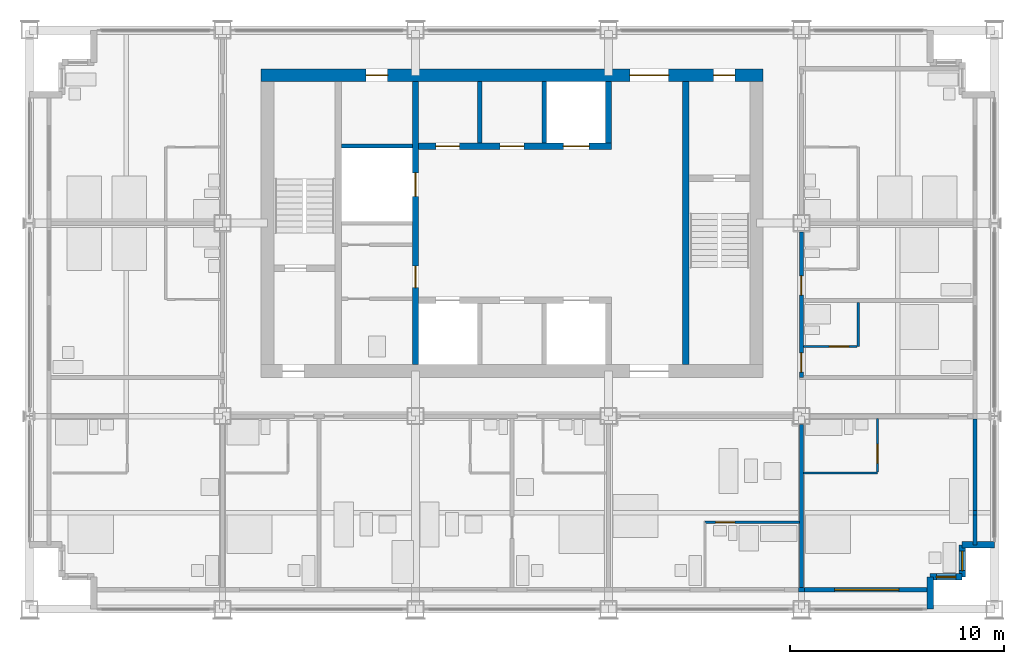
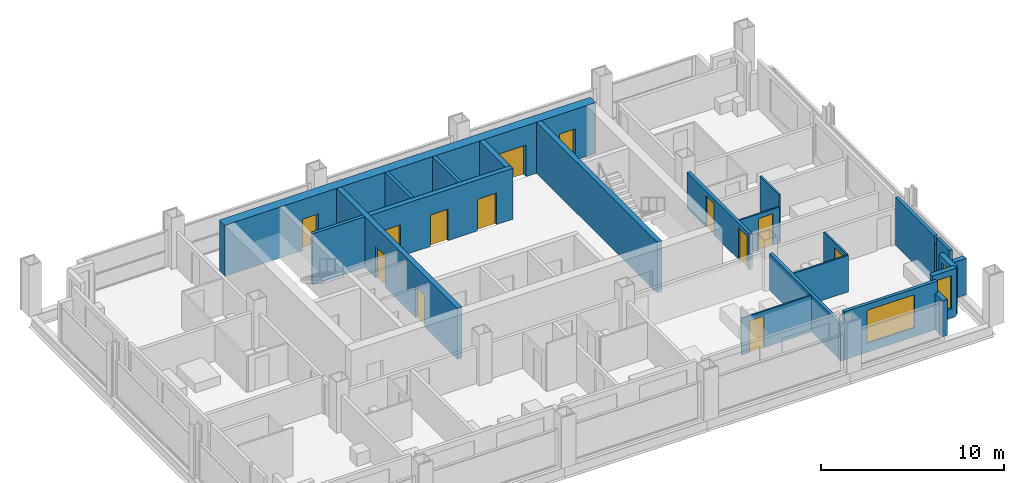
# One storey, part 9 of 13: 24 walls, 13 doors, 3 windows, 16 openings.
"""IFC4 building model written with IfcOpenShell, lengths in metres."""

from ifc_helpers import new_model, si_unit, direction, frame, frame_2d, origin, place, context, subcontext, project, spatial, rectangle, extrude, material, layer, layer_set, type_object, element, fill, save


model = new_model("IFC4")

# Units and contexts
model_context = context("Model", 3, precision=1e-05, world=origin(), true_north=direction((0.0, 1.0)))
body_context = subcontext(model_context, "Body", "Model", "MODEL_VIEW")
ifc_project = project(units=[si_unit("LENGTHUNIT", "METRE"), si_unit("AREAUNIT", "SQUARE_METRE"), si_unit("VOLUMEUNIT", "CUBIC_METRE"), si_unit("PLANEANGLEUNIT", "RADIAN"), si_unit("MASSUNIT", "GRAM", prefix="KILO")], contexts=[model_context])

# Site, building, storey
site_placement = place(None, origin())
site = spatial("IfcSite", under=ifc_project, at=site_placement, CompositionType="ELEMENT")
building_placement = place(site_placement, origin())
building = spatial("IfcBuilding", under=site, at=building_placement, Name="Loomwork Tower", CompositionType="ELEMENT")
storey_placement = place(building_placement, frame((0.0, 0.0, 197.800048828125)))
storey = spatial("IfcBuildingStorey", under=building, at=storey_placement, Name="L54", CompositionType="ELEMENT", Elevation=197.800048828125)

# Wall, openings, doors
ifc_material_1 = material(Name="Concrete 14000 psi (97 MPa)", Category="concrete")
ifc_layer_1 = layer(ifc_material_1, 0.300048828125)
ifc_layer_set_1 = layer_set([ifc_layer_1], Name="Core shear wall 300")
wall_type_1 = type_object("IfcWallType", Name="Core shear wall 300", PredefinedType="SHEAR", material=ifc_layer_set_1)
wall_1_placement = place(storey_placement, frame((18.0, 11.39990234375, 0.0), z_axis=(0.0, 0.0, 1.0), x_axis=(0.0, 1.0, 0.0)))
wall_1 = element("IfcWall", 1, at=wall_1_placement, inside=storey, type_object=wall_type_1, Name="Lobby west wall L54", PredefinedType="SHEAR", context=body_context, shape_type="SweptSolid", body=[
    extrude(rectangle(XDim=13.2001953125, YDim=0.300048828125, at=frame_2d((6.60009765625, 0.0))), origin(), (0.0, 0.0, 1.0), 3.39990234375),
])
opening_1_placement = place(wall_1_placement, frame((3.60009765625, 0.0, 0.0)))
opening_1 = element("IfcOpeningElement", 2, at=opening_1_placement, cuts=wall_1, Name="Opening D5", PredefinedType="OPENING", context=body_context, shape_type="SweptSolid", body=[
    extrude(rectangle(XDim=1.0, YDim=2.10009765625, at=frame_2d((0.5, 1.050048828125))), frame((0.0, 0.159912109375, 0.0), z_axis=(0.0, -1.0, 0.0), x_axis=(1.0, 0.0, 0.0)), (0.0, 0.0, 1.0), 0.320068359375),
])
opening_2_placement = place(wall_1_placement, frame((7.85009765625, 0.0, 0.0)))
opening_2 = element("IfcOpeningElement", 3, at=opening_2_placement, cuts=wall_1, Name="Opening LD1", PredefinedType="OPENING", context=body_context, shape_type="SweptSolid", body=[
    extrude(rectangle(XDim=1.10009765625, YDim=2.10009765625, at=frame_2d((0.550048828125, 1.050048828125))), frame((0.0, 0.159912109375, 0.0), z_axis=(0.0, -1.0, 0.0), x_axis=(1.0, 0.0, 0.0)), (0.0, 0.0, 1.0), 0.320068359375),
])
ifc_material_2 = material(Name="Hollow metal door and frame")
door_type_1 = type_object("IfcDoorType", Name="Lift landing door 1100", OperationType="SLIDING_TO_LEFT", PredefinedType="DOOR", material=ifc_material_2)
door_1_placement = place(opening_2_placement, origin())
door_1 = element("IfcDoor", 4, at=door_1_placement, inside=storey, type_object=door_type_1, Name="Lift landing door LC2", OperationType="SLIDING_TO_LEFT", OverallHeight=2.10009765625, OverallWidth=1.10009765625, PredefinedType="DOOR", context=body_context, shape_type="SweptSolid", body=[
    extrude(rectangle(XDim=1.10009765625, YDim=2.10009765625, at=frame_2d((0.550048828125, 1.050048828125))), frame((0.0, 0.02490234375, 0.0), z_axis=(0.0, -1.0, 0.0), x_axis=(1.0, 0.0, 0.0)), (0.0, 0.0, 1.0), 0.050048828125),
])
fill(opening_2, door_1)
ifc_material_3 = material(Name="Hollow metal door and frame")
door_type_2 = type_object("IfcDoorType", Name="Service door 1000", OperationType="SINGLE_SWING_LEFT", PredefinedType="DOOR", material=ifc_material_3)
door_2_placement = place(opening_1_placement, origin())
door_2 = element("IfcDoor", 5, at=door_2_placement, inside=storey, type_object=door_type_2, Name="Back-of-house door south", OperationType="SINGLE_SWING_LEFT", OverallHeight=2.10009765625, OverallWidth=1.0, PredefinedType="DOOR", context=body_context, shape_type="SweptSolid", body=[
    extrude(rectangle(XDim=1.0, YDim=2.10009765625, at=frame_2d((0.5, 1.050048828125))), frame((0.0, 0.02490234375, 0.0), z_axis=(0.0, -1.0, 0.0), x_axis=(1.0, 0.0, 0.0)), (0.0, 0.0, 1.0), 0.050048828125),
])
fill(opening_1, door_2)

wall_2_placement = place(storey_placement, frame((18.14990234375, 21.60009765625, 0.0), z_axis=(0.0, 0.0, 1.0), x_axis=(1.0, 0.0, 0.0)))
wall_2 = element("IfcWall", 6, at=wall_2_placement, inside=storey, type_object=wall_type_1, Name="Lift front wall north L54", PredefinedType="SHEAR", context=body_context, shape_type="SweptSolid", body=[
    extrude(rectangle(XDim=9.0, YDim=0.300048828125, at=frame_2d((4.5, 0.0))), origin(), (0.0, 0.0, 1.0), 3.39990234375),
])
opening_3_placement = place(wall_2_placement, frame((6.75, 0.0, 0.0)))
opening_3 = element("IfcOpeningElement", 7, at=opening_3_placement, cuts=wall_2, Name="Opening LD2", PredefinedType="OPENING", context=body_context, shape_type="SweptSolid", body=[
    extrude(rectangle(XDim=1.199951171875, YDim=2.10009765625, at=frame_2d((0.60009765625, 1.050048828125))), frame((0.0, 0.159912109375, 0.0), z_axis=(0.0, -1.0, 0.0), x_axis=(1.0, 0.0, 0.0)), (0.0, 0.0, 1.0), 0.320068359375),
])
opening_4_placement = place(wall_2_placement, frame((0.800048828125, 0.0, 0.0)))
opening_4 = element("IfcOpeningElement", 8, at=opening_4_placement, cuts=wall_2, Name="Opening D17", PredefinedType="OPENING", context=body_context, shape_type="SweptSolid", body=[
    extrude(rectangle(XDim=1.10009765625, YDim=2.10009765625, at=frame_2d((0.550048828125, 1.050048828125))), frame((0.0, 0.159912109375, 0.0), z_axis=(0.0, -1.0, 0.0), x_axis=(1.0, 0.0, 0.0)), (0.0, 0.0, 1.0), 0.320068359375),
])
opening_5_placement = place(wall_2_placement, frame((3.800048828125, 0.0, 0.0)))
opening_5 = element("IfcOpeningElement", 9, at=opening_5_placement, cuts=wall_2, Name="Opening D17", PredefinedType="OPENING", context=body_context, shape_type="SweptSolid", body=[
    extrude(rectangle(XDim=1.10009765625, YDim=2.10009765625, at=frame_2d((0.550048828125, 1.050048828125))), frame((0.0, 0.159912109375, 0.0), z_axis=(0.0, -1.0, 0.0), x_axis=(1.0, 0.0, 0.0)), (0.0, 0.0, 1.0), 0.320068359375),
])
ifc_material_4 = material(Name="Hollow metal door and frame")
door_type_3 = type_object("IfcDoorType", Name="Lift landing door 1200", OperationType="SLIDING_TO_LEFT", PredefinedType="DOOR", material=ifc_material_4)
door_3_placement = place(opening_3_placement, origin())
door_3 = element("IfcDoor", 10, at=door_3_placement, inside=storey, type_object=door_type_3, Name="Lift landing door LF2", OperationType="SLIDING_TO_LEFT", OverallHeight=2.10009765625, OverallWidth=1.199951171875, PredefinedType="DOOR", context=body_context, shape_type="SweptSolid", body=[
    extrude(rectangle(XDim=1.199951171875, YDim=2.10009765625, at=frame_2d((0.60009765625, 1.050048828125))), frame((0.0, 0.02490234375, 0.0), z_axis=(0.0, -1.0, 0.0), x_axis=(1.0, 0.0, 0.0)), (0.0, 0.0, 1.0), 0.050048828125),
])
fill(opening_3, door_3)
ifc_material_5 = material(Name="Hollow metal door and frame")
door_type_4 = type_object("IfcDoorType", Name="Service room door 1100", OperationType="SINGLE_SWING_LEFT", PredefinedType="DOOR", material=ifc_material_5)
door_4_placement = place(opening_4_placement, origin())
door_4 = element("IfcDoor", 11, at=door_4_placement, inside=storey, type_object=door_type_4, Name="Housekeeping store door L54", OperationType="SINGLE_SWING_LEFT", OverallHeight=2.10009765625, OverallWidth=1.10009765625, PredefinedType="DOOR", context=body_context, shape_type="SweptSolid", body=[
    extrude(rectangle(XDim=1.10009765625, YDim=2.10009765625, at=frame_2d((0.550048828125, 1.050048828125))), frame((0.0, 0.02490234375, 0.0), z_axis=(0.0, -1.0, 0.0), x_axis=(1.0, 0.0, 0.0)), (0.0, 0.0, 1.0), 0.050048828125),
])
fill(opening_4, door_4)
door_5_placement = place(opening_5_placement, origin())
door_5 = element("IfcDoor", 12, at=door_5_placement, inside=storey, type_object=door_type_4, Name="Guest pantry, ice and vending door L54", OperationType="SINGLE_SWING_LEFT", OverallHeight=2.10009765625, OverallWidth=1.10009765625, PredefinedType="DOOR", context=body_context, shape_type="SweptSolid", body=[
    extrude(rectangle(XDim=1.10009765625, YDim=2.10009765625, at=frame_2d((0.550048828125, 1.050048828125))), frame((0.0, 0.02490234375, 0.0), z_axis=(0.0, -1.0, 0.0), x_axis=(1.0, 0.0, 0.0)), (0.0, 0.0, 1.0), 0.050048828125),
])
fill(opening_5, door_5)

# Walls
wall_3_placement = place(storey_placement, frame((27.0, 21.75, 0.0), z_axis=(0.0, 0.0, 1.0), x_axis=(0.0, 1.0, 0.0)))
element("IfcWall", 13, at=wall_3_placement, inside=storey, type_object=wall_type_1, Name="Lift shaft end wall north L54", PredefinedType="SHEAR", context=body_context, shape_type="SweptSolid", body=[
    extrude(rectangle(XDim=2.85009765625, YDim=0.300048828125, at=frame_2d((1.425048828125, 0.0))), origin(), (0.0, 0.0, 1.0), 3.39990234375),
])
wall_4_placement = place(storey_placement, frame((30.60009765625, 11.39990234375, 0.0), z_axis=(0.0, 0.0, 1.0), x_axis=(0.0, 1.0, 0.0)))
element("IfcWall", 14, at=wall_4_placement, inside=storey, type_object=wall_type_1, Name="Stair B west wall L54", PredefinedType="SHEAR", context=body_context, shape_type="SweptSolid", body=[
    extrude(rectangle(XDim=13.2001953125, YDim=0.300048828125, at=frame_2d((6.60009765625, 0.0))), origin(), (0.0, 0.0, 1.0), 3.39990234375),
])

# Wall, openings, doors
ifc_material_6 = material(Name="Concrete 14000 psi (97 MPa)", Category="concrete")
ifc_layer_2 = layer(ifc_material_6, 0.60009765625)
ifc_layer_set_2 = layer_set([ifc_layer_2], Name="Core shear wall 600")
wall_type_2 = type_object("IfcWallType", Name="Core shear wall 600", PredefinedType="SHEAR", material=ifc_layer_set_2)
wall_5_placement = place(storey_placement, frame((10.800048828125, 24.89990234375, 0.0), z_axis=(0.0, 0.0, 1.0), x_axis=(1.0, 0.0, 0.0)))
wall_5 = element("IfcWall", 15, at=wall_5_placement, inside=storey, type_object=wall_type_2, Name="Core wall north L54", PredefinedType="SHEAR", context=body_context, shape_type="SweptSolid", body=[
    extrude(rectangle(XDim=23.39990234375, YDim=0.60009765625, at=frame_2d((11.699951171875, 0.0))), origin(), (0.0, 0.0, 1.0), 3.39990234375),
])
opening_6_placement = place(wall_5_placement, frame((17.199951171875, 0.0, 0.0)))
opening_6 = element("IfcOpeningElement", 16, at=opening_6_placement, cuts=wall_5, Name="Opening D6", PredefinedType="OPENING", context=body_context, shape_type="SweptSolid", body=[
    extrude(rectangle(XDim=1.800048828125, YDim=2.10009765625, at=frame_2d((0.89990234375, 1.050048828125))), frame((0.0, 0.31005859375, 0.0), z_axis=(0.0, -1.0, 0.0), x_axis=(1.0, 0.0, 0.0)), (0.0, 0.0, 1.0), 0.6201171875),
])
opening_7_placement = place(wall_5_placement, frame((21.10009765625, 0.0, 0.0)))
opening_7 = element("IfcOpeningElement", 17, at=opening_7_placement, cuts=wall_5, Name="Opening D4", PredefinedType="OPENING", context=body_context, shape_type="SweptSolid", body=[
    extrude(rectangle(XDim=1.0, YDim=2.10009765625, at=frame_2d((0.5, 1.050048828125))), frame((0.0, 0.31005859375, 0.0), z_axis=(0.0, -1.0, 0.0), x_axis=(1.0, 0.0, 0.0)), (0.0, 0.0, 1.0), 0.6201171875),
])
opening_8_placement = place(wall_5_placement, frame((4.89990234375, 0.0, 0.0)))
opening_8 = element("IfcOpeningElement", 18, at=opening_8_placement, cuts=wall_5, Name="Opening D5", PredefinedType="OPENING", context=body_context, shape_type="SweptSolid", body=[
    extrude(rectangle(XDim=1.0, YDim=2.10009765625, at=frame_2d((0.5, 1.050048828125))), frame((0.0, 0.31005859375, 0.0), z_axis=(0.0, -1.0, 0.0), x_axis=(1.0, 0.0, 0.0)), (0.0, 0.0, 1.0), 0.6201171875),
])
ifc_material_7 = material(Name="Hollow metal door and frame")
door_type_5 = type_object("IfcDoorType", Name="Lobby passage double door 1800", OperationType="DOUBLE_DOOR_SINGLE_SWING", PredefinedType="DOOR", material=ifc_material_7)
door_6_placement = place(opening_6_placement, frame((1.800048828125, 0.0, 0.0), z_axis=(0.0, 0.0, 1.0), x_axis=(-1.0, 0.0, 0.0)))
door_6 = element("IfcDoor", 19, at=door_6_placement, inside=storey, type_object=door_type_5, Name="Lobby passage door north", OperationType="DOUBLE_DOOR_SINGLE_SWING", OverallHeight=2.10009765625, OverallWidth=1.800048828125, PredefinedType="DOOR", context=body_context, shape_type="SweptSolid", body=[
    extrude(rectangle(XDim=1.800048828125, YDim=2.10009765625, at=frame_2d((0.89990234375, 1.050048828125))), frame((0.0, 0.02490234375, 0.0), z_axis=(0.0, -1.0, 0.0), x_axis=(1.0, 0.0, 0.0)), (0.0, 0.0, 1.0), 0.050048828125),
])
fill(opening_6, door_6)
door_7_placement = place(opening_8_placement, frame((1.0, 0.0, 0.0), z_axis=(0.0, 0.0, 1.0), x_axis=(-1.0, 0.0, 0.0)))
door_7 = element("IfcDoor", 20, at=door_7_placement, inside=storey, type_object=door_type_2, Name="Back-of-house door north", OperationType="SINGLE_SWING_LEFT", OverallHeight=2.10009765625, OverallWidth=1.0, PredefinedType="DOOR", context=body_context, shape_type="SweptSolid", body=[
    extrude(rectangle(XDim=1.0, YDim=2.10009765625, at=frame_2d((0.5, 1.050048828125))), frame((0.0, 0.02490234375, 0.0), z_axis=(0.0, -1.0, 0.0), x_axis=(1.0, 0.0, 0.0)), (0.0, 0.0, 1.0), 0.050048828125),
])
fill(opening_8, door_7)
ifc_material_8 = material(Name="Hollow metal door and frame")
door_type_6 = type_object("IfcDoorType", Name="Stair door 1000", OperationType="SINGLE_SWING_RIGHT", PredefinedType="DOOR", material=ifc_material_8)
door_8_placement = place(opening_7_placement, frame((1.0, 0.0, 0.0), z_axis=(0.0, 0.0, 1.0), x_axis=(-1.0, 0.0, 0.0)))
door_8 = element("IfcDoor", 21, at=door_8_placement, inside=storey, type_object=door_type_6, Name="Stair B vestibule door", OperationType="SINGLE_SWING_LEFT", OverallHeight=2.10009765625, OverallWidth=1.0, PredefinedType="DOOR", context=body_context, shape_type="SweptSolid", body=[
    extrude(rectangle(XDim=1.0, YDim=2.10009765625, at=frame_2d((0.5, 1.050048828125))), frame((0.0, 0.02490234375, 0.0), z_axis=(0.0, -1.0, 0.0), x_axis=(1.0, 0.0, 0.0)), (0.0, 0.0, 1.0), 0.050048828125),
])
fill(opening_7, door_8)

ifc_material_9 = material(Name="Gypsum board on steel studs, one-hour", Category="steel")
ifc_layer_3 = layer(ifc_material_9, 0.199951171875)
ifc_layer_set_3 = layer_set([ifc_layer_3], Name="Corridor wall 200")
wall_type_3 = type_object("IfcWallType", Name="Corridor wall 200", PredefinedType="PARTITIONING", material=ifc_layer_set_3)
wall_6_placement = place(storey_placement, frame((36.0, 10.800048828125, 0.0), z_axis=(0.0, 0.0, 1.0), x_axis=(0.0, 1.0, 0.0)))
wall_6 = element("IfcWall", 22, at=wall_6_placement, inside=storey, type_object=wall_type_3, Name="East corridor wall 1", PredefinedType="PARTITIONING", context=body_context, shape_type="SweptSolid", body=[
    extrude(rectangle(XDim=6.800048828125, YDim=0.199951171875, at=frame_2d((3.39990234375, 0.0))), origin(), (0.0, 0.0, 1.0), 2.405029296875),
])
opening_9_placement = place(wall_6_placement, frame((0.25, 0.0, 0.0)))
opening_9 = element("IfcOpeningElement", 23, at=opening_9_placement, cuts=wall_6, Name="Opening D1", PredefinedType="OPENING", context=body_context, shape_type="SweptSolid", body=[
    extrude(rectangle(XDim=0.89990234375, YDim=2.10009765625, at=frame_2d((0.449951171875, 1.050048828125))), frame((0.0, 0.10986328125, 0.0), z_axis=(0.0, -1.0, 0.0), x_axis=(1.0, 0.0, 0.0)), (0.0, 0.0, 1.0), 0.219970703125),
])
opening_10_placement = place(wall_6_placement, frame((3.85009765625, 0.0, 0.0)))
opening_10 = element("IfcOpeningElement", 24, at=opening_10_placement, cuts=wall_6, Name="Opening D1", PredefinedType="OPENING", context=body_context, shape_type="SweptSolid", body=[
    extrude(rectangle(XDim=0.89990234375, YDim=2.10009765625, at=frame_2d((0.449951171875, 1.050048828125))), frame((0.0, 0.10986328125, 0.0), z_axis=(0.0, -1.0, 0.0), x_axis=(1.0, 0.0, 0.0)), (0.0, 0.0, 1.0), 0.219970703125),
])
ifc_material_10 = material(Name="Hollow metal door and frame")
door_type_7 = type_object("IfcDoorType", Name="Guest room entry door 900", OperationType="SINGLE_SWING_LEFT", PredefinedType="DOOR", material=ifc_material_10)
door_9_placement = place(opening_9_placement, frame((0.89990234375, 0.0, 0.0), z_axis=(0.0, 0.0, 1.0), x_axis=(-1.0, 0.0, 0.0)))
door_9 = element("IfcDoor", 25, at=door_9_placement, inside=storey, type_object=door_type_7, Name="Guest room entry door L54 9", OperationType="SINGLE_SWING_RIGHT", OverallHeight=2.10009765625, OverallWidth=0.89990234375, PredefinedType="DOOR", context=body_context, shape_type="SweptSolid", body=[
    extrude(rectangle(XDim=0.89990234375, YDim=2.10009765625, at=frame_2d((0.449951171875, 1.050048828125))), frame((0.0, 0.02490234375, 0.0), z_axis=(0.0, -1.0, 0.0), x_axis=(1.0, 0.0, 0.0)), (0.0, 0.0, 1.0), 0.050048828125),
])
fill(opening_9, door_9)
door_10_placement = place(opening_10_placement, frame((0.89990234375, 0.0, 0.0), z_axis=(0.0, 0.0, 1.0), x_axis=(-1.0, 0.0, 0.0)))
door_10 = element("IfcDoor", 26, at=door_10_placement, inside=storey, type_object=door_type_7, Name="Guest room entry door L54 10", OperationType="SINGLE_SWING_RIGHT", OverallHeight=2.10009765625, OverallWidth=0.89990234375, PredefinedType="DOOR", context=body_context, shape_type="SweptSolid", body=[
    extrude(rectangle(XDim=0.89990234375, YDim=2.10009765625, at=frame_2d((0.449951171875, 1.050048828125))), frame((0.0, 0.02490234375, 0.0), z_axis=(0.0, -1.0, 0.0), x_axis=(1.0, 0.0, 0.0)), (0.0, 0.0, 1.0), 0.050048828125),
])
fill(opening_10, door_10)

# Wall, opening, door
ifc_material_11 = material(Name="Cement board on steel studs", Category="steel")
ifc_layer_4 = layer(ifc_material_11, 0.10009765625)
ifc_layer_set_4 = layer_set([ifc_layer_4], Name="En-suite partition 100")
wall_type_4 = type_object("IfcWallType", Name="En-suite partition 100", PredefinedType="PARTITIONING", material=ifc_layer_set_4)
wall_7_placement = place(storey_placement, frame((31.5, 4.050048828125, 0.0), z_axis=(0.0, 0.0, 1.0), x_axis=(1.0, 0.0, 0.0)))
wall_7 = element("IfcWall", 27, at=wall_7_placement, inside=storey, type_object=wall_type_4, Name="Spa bathroom wall L54 room 5", PredefinedType="PARTITIONING", context=body_context, shape_type="SweptSolid", body=[
    extrude(rectangle(XDim=4.39990234375, YDim=0.10009765625, at=frame_2d((2.199951171875, 0.0))), origin(), (0.0, 0.0, 1.0), 2.43798828125),
])
opening_11_placement = place(wall_7_placement, frame((0.5, 0.0, 0.0)))
opening_11 = element("IfcOpeningElement", 28, at=opening_11_placement, cuts=wall_7, Name="Opening D2", PredefinedType="OPENING", context=body_context, shape_type="SweptSolid", body=[
    extrude(rectangle(XDim=0.89990234375, YDim=2.10009765625, at=frame_2d((0.449951171875, 1.050048828125))), frame((0.0, 0.06005859375, 0.0), z_axis=(0.0, -1.0, 0.0), x_axis=(1.0, 0.0, 0.0)), (0.0, 0.0, 1.0), 0.1201171875),
])
ifc_material_12 = material(Name="Hollow metal door and frame")
door_type_8 = type_object("IfcDoorType", Name="En-suite door 900", OperationType="SINGLE_SWING_LEFT", PredefinedType="DOOR", material=ifc_material_12)
door_11_placement = place(opening_11_placement, frame((0.89990234375, 0.0, 0.0), z_axis=(0.0, 0.0, 1.0), x_axis=(-1.0, 0.0, 0.0)))
door_11 = element("IfcDoor", 29, at=door_11_placement, inside=storey, type_object=door_type_8, Name="Spa bathroom door room 5", OperationType="SINGLE_SWING_RIGHT", OverallHeight=2.10009765625, OverallWidth=0.89990234375, PredefinedType="DOOR", context=body_context, shape_type="SweptSolid", body=[
    extrude(rectangle(XDim=0.89990234375, YDim=2.10009765625, at=frame_2d((0.449951171875, 1.050048828125))), frame((0.0, 0.02490234375, 0.0), z_axis=(0.0, -1.0, 0.0), x_axis=(1.0, 0.0, 0.0)), (0.0, 0.0, 1.0), 0.050048828125),
])
fill(opening_11, door_11)

# Wall
wall_8_placement = place(storey_placement, frame((36.10009765625, 6.35009765625, 0.0), z_axis=(0.0, 0.0, 1.0), x_axis=(1.0, 0.0, 0.0)))
element("IfcWall", 30, at=wall_8_placement, inside=storey, type_object=wall_type_4, Name="En-suite wall L54 room 6", PredefinedType="PARTITIONING", context=body_context, shape_type="SweptSolid", body=[
    extrude(rectangle(XDim=3.449951171875, YDim=0.10009765625, at=frame_2d((1.72509765625, 0.0))), origin(), (0.0, 0.0, 1.0), 2.43798828125),
])

# Wall, opening, door
wall_9_placement = place(storey_placement, frame((39.550048828125, 8.89990234375, 0.0), z_axis=(0.0, 0.0, 1.0), x_axis=(0.0, -1.0, 0.0)))
wall_9 = element("IfcWall", 31, at=wall_9_placement, inside=storey, type_object=wall_type_4, Name="En-suite side wall L54 room 6", PredefinedType="PARTITIONING", context=body_context, shape_type="SweptSolid", body=[
    extrude(rectangle(XDim=2.5, YDim=0.10009765625, at=frame_2d((1.25, 0.0))), origin(), (0.0, 0.0, 1.0), 2.43798828125),
])
opening_12_placement = place(wall_9_placement, frame((1.199951171875, 0.0, 0.0)))
opening_12 = element("IfcOpeningElement", 32, at=opening_12_placement, cuts=wall_9, Name="Opening D2", PredefinedType="OPENING", context=body_context, shape_type="SweptSolid", body=[
    extrude(rectangle(XDim=0.89990234375, YDim=2.10009765625, at=frame_2d((0.449951171875, 1.050048828125))), frame((0.0, 0.06005859375, 0.0), z_axis=(0.0, -1.0, 0.0), x_axis=(1.0, 0.0, 0.0)), (0.0, 0.0, 1.0), 0.1201171875),
])
door_12_placement = place(opening_12_placement, frame((0.89990234375, 0.0, 0.0), z_axis=(0.0, 0.0, 1.0), x_axis=(-1.0, 0.0, 0.0)))
door_12 = element("IfcDoor", 33, at=door_12_placement, inside=storey, type_object=door_type_8, Name="En-suite door room 6", OperationType="SINGLE_SWING_LEFT", OverallHeight=2.10009765625, OverallWidth=0.89990234375, PredefinedType="DOOR", context=body_context, shape_type="SweptSolid", body=[
    extrude(rectangle(XDim=0.89990234375, YDim=2.10009765625, at=frame_2d((0.449951171875, 1.050048828125))), frame((0.0, 0.02490234375, 0.0), z_axis=(0.0, -1.0, 0.0), x_axis=(1.0, 0.0, 0.0)), (0.0, 0.0, 1.0), 0.050048828125),
])
fill(opening_12, door_12)

# Wall
wall_10_placement = place(storey_placement, frame((38.64990234375, 12.25, 0.0), z_axis=(0.0, 0.0, 1.0), x_axis=(0.0, 1.0, 0.0)))
element("IfcWall", 34, at=wall_10_placement, inside=storey, type_object=wall_type_4, Name="En-suite wall L54 room 9", PredefinedType="PARTITIONING", context=body_context, shape_type="SweptSolid", body=[
    extrude(rectangle(XDim=2.050048828125, YDim=0.10009765625, at=frame_2d((1.02490234375, 0.0))), origin(), (0.0, 0.0, 1.0), 3.199951171875),
])

# Wall, opening, door
wall_11_placement = place(storey_placement, frame((36.10009765625, 12.25, 0.0), z_axis=(0.0, 0.0, 1.0), x_axis=(1.0, 0.0, 0.0)))
wall_11 = element("IfcWall", 35, at=wall_11_placement, inside=storey, type_object=wall_type_4, Name="En-suite side wall L54 room 9", PredefinedType="PARTITIONING", context=body_context, shape_type="SweptSolid", body=[
    extrude(rectangle(XDim=2.5, YDim=0.10009765625, at=frame_2d((1.25, 0.0))), origin(), (0.0, 0.0, 1.0), 2.404052734375),
])
opening_13_placement = place(wall_11_placement, frame((1.199951171875, 0.0, 0.0)))
opening_13 = element("IfcOpeningElement", 36, at=opening_13_placement, cuts=wall_11, Name="Opening D3", PredefinedType="OPENING", context=body_context, shape_type="SweptSolid", body=[
    extrude(rectangle(XDim=0.89990234375, YDim=2.10009765625, at=frame_2d((0.449951171875, 1.050048828125))), frame((0.0, 0.06005859375, 0.0), z_axis=(0.0, -1.0, 0.0), x_axis=(1.0, 0.0, 0.0)), (0.0, 0.0, 1.0), 0.1201171875),
])
ifc_material_13 = material(Name="Hollow metal door and frame")
door_type_9 = type_object("IfcDoorType", Name="Accessible en-suite door 900", OperationType="SLIDING_TO_LEFT", PredefinedType="DOOR", material=ifc_material_13)
door_13_placement = place(opening_13_placement, origin())
door_13 = element("IfcDoor", 37, at=door_13_placement, inside=storey, type_object=door_type_9, Name="Accessible en-suite door room 9", OperationType="SLIDING_TO_LEFT", OverallHeight=2.10009765625, OverallWidth=0.89990234375, PredefinedType="DOOR", context=body_context, shape_type="SweptSolid", body=[
    extrude(rectangle(XDim=0.89990234375, YDim=2.10009765625, at=frame_2d((0.449951171875, 1.050048828125))), frame((0.0, 0.02490234375, 0.0), z_axis=(0.0, -1.0, 0.0), x_axis=(1.0, 0.0, 0.0)), (0.0, 0.0, 1.0), 0.050048828125),
])
fill(opening_13, door_13)

# Walls
ifc_material_14 = material(Name="Gypsum board on steel studs, acoustic", Category="steel")
ifc_layer_5 = layer(ifc_material_14, 0.199951171875)
ifc_layer_set_5 = layer_set([ifc_layer_5], Name="Guest room party wall 200")
wall_type_5 = type_object("IfcWallType", Name="Guest room party wall 200", PredefinedType="PARTITIONING", material=ifc_layer_set_5)
wall_12_placement = place(storey_placement, frame((36.0, 8.60009765625, 0.0), z_axis=(0.0, 0.0, 1.0), x_axis=(0.0, -1.0, 0.0)))
element("IfcWall", 38, at=wall_12_placement, inside=storey, type_object=wall_type_5, Name="Guest room party wall S 36", PredefinedType="PARTITIONING", context=body_context, shape_type="SweptSolid", body=[
    extrude(rectangle(XDim=7.60009765625, YDim=0.199951171875, at=frame_2d((3.800048828125, 0.0))), origin(), (0.0, 0.0, 1.0), 2.43798828125),
])
ifc_material_15 = material(Name="Insulated steel stud wall with gypsum lining", Category="steel")
ifc_layer_6 = layer(ifc_material_15, 0.199951171875)
ifc_layer_set_6 = layer_set([ifc_layer_6], Name="Inner skin wall 200")
wall_type_6 = type_object("IfcWallType", Name="Inner skin wall 200", PredefinedType="SOLIDWALL", material=ifc_layer_set_6)
wall_13_placement = place(storey_placement, frame((44.10009765625, 3.0, 0.0), z_axis=(0.0, 0.0, 1.0), x_axis=(0.0, 1.0, 0.0)))
element("IfcWall", 39, at=wall_13_placement, inside=storey, type_object=wall_type_6, Name="Inner skin wall E", PredefinedType="SOLIDWALL", context=body_context, shape_type="SweptSolid", body=[
    extrude(rectangle(XDim=1.392578125, YDim=0.199951171875, at=frame_2d((0.6962890625, 0.0))), origin(), (0.0, 0.0, 1.0), 3.199951171875),
])
wall_14_placement = place(storey_placement, frame((35.864501953125, 0.89990234375, 0.0), z_axis=(0.0, 0.0, 1.0), x_axis=(1.0, 0.0, 0.0)))
element("IfcWall", 40, at=wall_14_placement, inside=storey, type_object=wall_type_6, Name="Inner skin wall S bay 8", PredefinedType="SOLIDWALL", context=body_context, shape_type="SweptSolid", body=[
    extrude(rectangle(XDim=0.27099609375, YDim=0.199951171875, at=frame_2d((0.135498046875, 0.0))), origin(), (0.0, 0.0, 1.0), 2.43798828125),
])

# Wall, opening, window
wall_15_placement = place(storey_placement, frame((36.135498046875, 0.89990234375, 0.0), z_axis=(0.0, 0.0, 1.0), x_axis=(1.0, 0.0, 0.0)))
wall_15 = element("IfcWall", 41, at=wall_15_placement, inside=storey, type_object=wall_type_6, Name="Inner skin wall S bay 9", PredefinedType="SOLIDWALL", context=body_context, shape_type="SweptSolid", body=[
    extrude(rectangle(XDim=5.864501953125, YDim=0.199951171875, at=frame_2d((2.93212890625, 0.0))), origin(), (0.0, 0.0, 1.0), 3.199951171875),
])
opening_14_placement = place(wall_15_placement, frame((1.41455078125, 0.0, 0.60009765625)))
opening_14 = element("IfcOpeningElement", 42, at=opening_14_placement, cuts=wall_15, Name="Opening CH1", PredefinedType="OPENING", context=body_context, shape_type="SweptSolid", body=[
    extrude(rectangle(XDim=3.0, YDim=2.199951171875, at=frame_2d((1.5, 1.10009765625))), frame((0.0, 0.10986328125, 0.0), z_axis=(0.0, -1.0, 0.0), x_axis=(1.0, 0.0, 0.0)), (0.0, 0.0, 1.0), 0.219970703125),
])
ifc_material_16 = material(Name="Aluminium frame with clear insulated glass", Category="aluminium")
window_type_1 = type_object("IfcWindowType", Name="Chicago window 3000", PartitioningType="TRIPLE_PANEL_VERTICAL", PredefinedType="WINDOW", material=ifc_material_16)
window_1_placement = place(opening_14_placement, origin())
window_1 = element("IfcWindow", 43, at=window_1_placement, inside=storey, type_object=window_type_1, Name="Chicago window L54 bay 5", OverallHeight=2.199951171875, OverallWidth=3.0, PartitioningType="TRIPLE_PANEL_VERTICAL", PredefinedType="WINDOW", context=body_context, shape_type="SweptSolid", body=[
    extrude(rectangle(XDim=3.0, YDim=2.199951171875, at=frame_2d((1.5, 1.10009765625))), frame((0.0, 0.030029296875, 0.0), z_axis=(0.0, -1.0, 0.0), x_axis=(1.0, 0.0, 0.0)), (0.0, 0.0, 1.0), 0.06005859375),
])
fill(opening_14, window_1)

# Walls
wall_16_placement = place(storey_placement, frame((44.10009765625, 4.392578125, 0.0), z_axis=(0.0, 0.0, 1.0), x_axis=(0.0, 1.0, 0.0)))
element("IfcWall", 44, at=wall_16_placement, inside=storey, type_object=wall_type_6, Name="Inner skin wall E bay 2", PredefinedType="SOLIDWALL", context=body_context, shape_type="SweptSolid", body=[
    extrude(rectangle(XDim=0.21484375, YDim=0.199951171875, at=frame_2d((0.107421875, 0.0))), origin(), (0.0, 0.0, 1.0), 2.660888671875),
])
wall_17_placement = place(storey_placement, frame((44.10009765625, 4.607421875, 0.0), z_axis=(0.0, 0.0, 1.0), x_axis=(0.0, 1.0, 0.0)))
element("IfcWall", 45, at=wall_17_placement, inside=storey, type_object=wall_type_6, Name="Inner skin wall E bay 3", PredefinedType="SOLIDWALL", context=body_context, shape_type="SweptSolid", body=[
    extrude(rectangle(XDim=4.25732421875, YDim=0.199951171875, at=frame_2d((2.128662109375, 0.0))), origin(), (0.0, 0.0, 1.0), 3.199951171875),
])
ifc_material_17 = material(Name="Concrete 14000 psi (97 MPa)", Category="concrete")
ifc_layer_7 = layer(ifc_material_17, 0.199951171875)
ifc_layer_set_7 = layer_set([ifc_layer_7], Name="Lift shaft wall 200")
wall_type_7 = type_object("IfcWallType", Name="Lift shaft wall 200", PredefinedType="SHEAR", material=ifc_layer_set_7)
for number, where, z_axis, x_axis, name in (
    (46, (21.0, 21.75, 0.0), (0.0, 0.0, 1.0), (0.0, 1.0, 0.0), "Lift shaft separation wall north 1 L54"),
    (47, (24.0, 21.75, 0.0), (0.0, 0.0, 1.0), (0.0, 1.0, 0.0), "Lift shaft separation wall north 2 L54"),
):
    element("IfcWall", number, at=place(storey_placement, frame(where, z_axis=z_axis, x_axis=x_axis)), inside=storey, type_object=wall_type_7, Name=name, PredefinedType="SHEAR", context=body_context, shape_type="SweptSolid", body=[
        extrude(rectangle(XDim=2.85009765625, YDim=0.199951171875, at=frame_2d((1.425048828125, 0.0))), origin(), (0.0, 0.0, 1.0), 3.39990234375),
    ])
wall_18_placement = place(storey_placement, frame((14.550048828125, 21.60009765625, 0.0), z_axis=(0.0, 0.0, 1.0), x_axis=(1.0, 0.0, 0.0)))
element("IfcWall", 48, at=wall_18_placement, inside=storey, type_object=wall_type_7, Name="Lift shaft wall west north L54", PredefinedType="SHEAR", context=body_context, shape_type="SweptSolid", body=[
    extrude(rectangle(XDim=3.300048828125, YDim=0.199951171875, at=frame_2d((1.64990234375, 0.0))), origin(), (0.0, 0.0, 1.0), 3.39990234375),
])
ifc_material_18 = material(Name="Limestone on concrete masonry", Category="masonry")
ifc_layer_8 = layer(ifc_material_18, 0.300048828125)
ifc_layer_set_8 = layer_set([ifc_layer_8], Name="Limestone corner wall 300")
wall_type_8 = type_object("IfcWallType", Name="Limestone corner wall 300", PredefinedType="SOLIDWALL", material=ifc_layer_set_8)
wall_19_placement = place(storey_placement, frame((42.0, 0.0, 0.0), z_axis=(0.0, 0.0, 1.0), x_axis=(0.0, 1.0, 0.0)))
element("IfcWall", 49, at=wall_19_placement, inside=storey, type_object=wall_type_8, Name="Stone corner wall SE 1", PredefinedType="SOLIDWALL", context=body_context, shape_type="SweptSolid", body=[
    extrude(rectangle(XDim=1.5, YDim=0.300048828125, at=frame_2d((0.75, 0.0))), origin(), (0.0, 0.0, 1.0), 2.419921875),
])

# Wall, opening, window
wall_20_placement = place(storey_placement, frame((42.0, 1.5, 0.0), z_axis=(0.0, 0.0, 1.0), x_axis=(1.0, 0.0, 0.0)))
wall_20 = element("IfcWall", 50, at=wall_20_placement, inside=storey, type_object=wall_type_8, Name="Stone corner wall SE 2", PredefinedType="SOLIDWALL", context=body_context, shape_type="SweptSolid", body=[
    extrude(rectangle(XDim=1.5, YDim=0.300048828125, at=frame_2d((0.75, 0.0))), origin(), (0.0, 0.0, 1.0), 3.199951171875),
])
opening_15_placement = place(wall_20_placement, frame((0.300048828125, 0.0, 0.60009765625)))
opening_15 = element("IfcOpeningElement", 51, at=opening_15_placement, cuts=wall_20, Name="Opening CH2", PredefinedType="OPENING", context=body_context, shape_type="SweptSolid", body=[
    extrude(rectangle(XDim=0.89990234375, YDim=2.199951171875, at=frame_2d((0.449951171875, 1.10009765625))), frame((0.0, 0.159912109375, 0.0), z_axis=(0.0, -1.0, 0.0), x_axis=(1.0, 0.0, 0.0)), (0.0, 0.0, 1.0), 0.320068359375),
])
ifc_material_19 = material(Name="Aluminium frame with clear insulated glass", Category="aluminium")
window_type_2 = type_object("IfcWindowType", Name="Corner window 900", PartitioningType="SINGLE_PANEL", PredefinedType="WINDOW", material=ifc_material_19)
window_2_placement = place(opening_15_placement, origin())
window_2 = element("IfcWindow", 52, at=window_2_placement, inside=storey, type_object=window_type_2, Name="Corner window SE", OverallHeight=2.199951171875, OverallWidth=0.89990234375, PartitioningType="SINGLE_PANEL", PredefinedType="WINDOW", context=body_context, shape_type="SweptSolid", body=[
    extrude(rectangle(XDim=0.89990234375, YDim=2.199951171875, at=frame_2d((0.449951171875, 1.10009765625))), frame((0.0, 0.030029296875, 0.0), z_axis=(0.0, -1.0, 0.0), x_axis=(1.0, 0.0, 0.0)), (0.0, 0.0, 1.0), 0.06005859375),
])
fill(opening_15, window_2)

wall_21_placement = place(storey_placement, frame((43.5, 1.5, 0.0), z_axis=(0.0, 0.0, 1.0), x_axis=(0.0, 1.0, 0.0)))
wall_21 = element("IfcWall", 53, at=wall_21_placement, inside=storey, type_object=wall_type_8, Name="Stone corner wall SE 3", PredefinedType="SOLIDWALL", context=body_context, shape_type="SweptSolid", body=[
    extrude(rectangle(XDim=1.5, YDim=0.300048828125, at=frame_2d((0.75, 0.0))), origin(), (0.0, 0.0, 1.0), 3.199951171875),
])
opening_16_placement = place(wall_21_placement, frame((0.300048828125, 0.0, 0.60009765625)))
opening_16 = element("IfcOpeningElement", 54, at=opening_16_placement, cuts=wall_21, Name="Opening CH2", PredefinedType="OPENING", context=body_context, shape_type="SweptSolid", body=[
    extrude(rectangle(XDim=0.89990234375, YDim=2.199951171875, at=frame_2d((0.449951171875, 1.10009765625))), frame((0.0, 0.159912109375, 0.0), z_axis=(0.0, -1.0, 0.0), x_axis=(1.0, 0.0, 0.0)), (0.0, 0.0, 1.0), 0.320068359375),
])
window_3_placement = place(opening_16_placement, origin())
window_3 = element("IfcWindow", 55, at=window_3_placement, inside=storey, type_object=window_type_2, Name="Corner window SE", OverallHeight=2.199951171875, OverallWidth=0.89990234375, PartitioningType="SINGLE_PANEL", PredefinedType="WINDOW", context=body_context, shape_type="SweptSolid", body=[
    extrude(rectangle(XDim=0.89990234375, YDim=2.199951171875, at=frame_2d((0.449951171875, 1.10009765625))), frame((0.0, 0.030029296875, 0.0), z_axis=(0.0, -1.0, 0.0), x_axis=(1.0, 0.0, 0.0)), (0.0, 0.0, 1.0), 0.06005859375),
])
fill(opening_16, window_3)

# Wall
wall_22_placement = place(storey_placement, frame((43.5, 3.0, 0.0), z_axis=(0.0, 0.0, 1.0), x_axis=(1.0, 0.0, 0.0)))
element("IfcWall", 56, at=wall_22_placement, inside=storey, type_object=wall_type_8, Name="Stone corner wall SE 4", PredefinedType="SOLIDWALL", context=body_context, shape_type="SweptSolid", body=[
    extrude(rectangle(XDim=1.5, YDim=0.300048828125, at=frame_2d((0.75, 0.0))), origin(), (0.0, 0.0, 1.0), 2.419921875),
])

save(model, "model.ifc")
